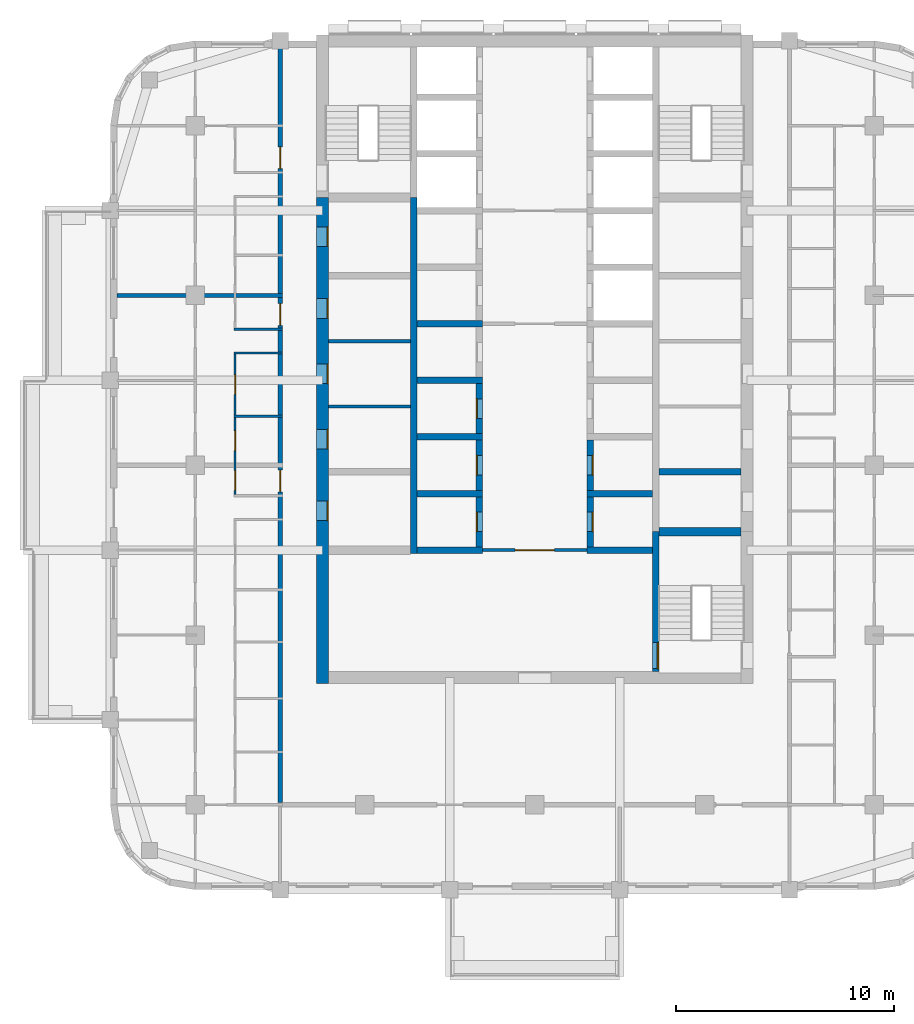
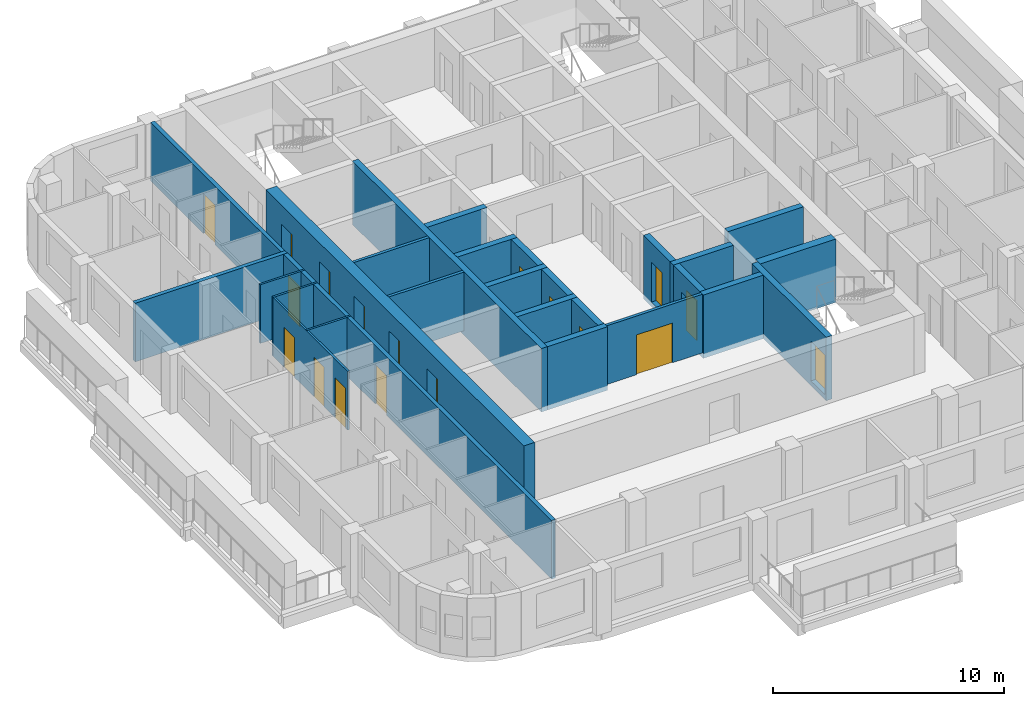
# One storey, part 4 of 13: 26 walls, 18 doors, 18 openings.
"""IFC4 building model written with IfcOpenShell, lengths in metres."""

from ifc_helpers import new_model, si_unit, direction, frame, frame_2d, origin, place, context, subcontext, project, spatial, rectangle, extrude, material, layer, layer_set, type_object, element, fill, save


model = new_model("IFC4")

# Units and contexts
model_context = context("Model", 3, precision=1e-05, world=origin(), true_north=direction((0.0, 1.0)))
body_context = subcontext(model_context, "Body", "Model", "MODEL_VIEW")
ifc_project = project(units=[si_unit("LENGTHUNIT", "METRE"), si_unit("AREAUNIT", "SQUARE_METRE"), si_unit("VOLUMEUNIT", "CUBIC_METRE"), si_unit("PLANEANGLEUNIT", "RADIAN"), si_unit("MASSUNIT", "GRAM", prefix="KILO")], contexts=[model_context])

# Site, building, storey
site_placement = place(None, origin())
site = spatial("IfcSite", under=ifc_project, at=site_placement, CompositionType="ELEMENT")
building_placement = place(site_placement, origin())
building = spatial("IfcBuilding", under=site, at=building_placement, Name="Ludao Terraces", CompositionType="ELEMENT")
storey_placement = place(building_placement, frame((0.0, 0.0, 169.0)))
storey = spatial("IfcBuildingStorey", under=building, at=storey_placement, Name="L46", CompositionType="ELEMENT", Elevation=169.0)

# Wall, openings, doors
ifc_material_1 = material(Name="Concrete C60", Category="concrete")
ifc_layer_1 = layer(ifc_material_1, 0.550048828125)
ifc_layer_set_1 = layer_set([ifc_layer_1], Name="Core wall 550 C60")
wall_type_1 = type_object("IfcWallType", Name="Core wall 550 C60", PredefinedType="SOLIDWALL", material=ifc_layer_set_1)
wall_1_placement = place(storey_placement, frame((75.25, 54.97509765625, -0.25), z_axis=(0.0, 0.0, 1.0), x_axis=(0.0, 1.0, 0.0)))
wall_1 = element("IfcWall", 1, at=wall_1_placement, inside=storey, type_object=wall_type_1, Name="Core wall L46 outer-W", PredefinedType="SOLIDWALL", context=body_context, shape_type="SweptSolid", body=[
    extrude(rectangle(XDim=22.324951171875, YDim=0.550048828125, at=frame_2d((11.16259765625, 0.0))), origin(), (0.0, 0.0, 1.0), 3.35009765625),
])
opening_1_placement = place(wall_1_placement, frame((7.47509765625, 0.0, 0.25)))
opening_1 = element("IfcOpeningElement", 2, at=opening_1_placement, cuts=wall_1, Name="Opening R16-029", PredefinedType="OPENING", context=body_context, shape_type="SweptSolid", body=[
    extrude(rectangle(XDim=0.89990234375, YDim=2.10009765625, at=frame_2d((0.449951171875, 1.050048828125))), frame((0.0, 0.28515625, 0.0), z_axis=(0.0, -1.0, 0.0), x_axis=(1.0, 0.0, 0.0)), (0.0, 0.0, 1.0), 0.570068359375),
])
opening_2_placement = place(wall_1_placement, frame((10.77490234375, 0.0, 0.25)))
opening_2 = element("IfcOpeningElement", 3, at=opening_2_placement, cuts=wall_1, Name="Opening R16-040", PredefinedType="OPENING", context=body_context, shape_type="SweptSolid", body=[
    extrude(rectangle(XDim=0.89990234375, YDim=2.10009765625, at=frame_2d((0.449951171875, 1.050048828125))), frame((0.0, 0.28515625, 0.0), z_axis=(0.0, -1.0, 0.0), x_axis=(1.0, 0.0, 0.0)), (0.0, 0.0, 1.0), 0.570068359375),
])
opening_3_placement = place(wall_1_placement, frame((13.77490234375, 0.0, 0.25)))
opening_3 = element("IfcOpeningElement", 4, at=opening_3_placement, cuts=wall_1, Name="Opening R16-049", PredefinedType="OPENING", context=body_context, shape_type="SweptSolid", body=[
    extrude(rectangle(XDim=0.89990234375, YDim=2.10009765625, at=frame_2d((0.449951171875, 1.050048828125))), frame((0.0, 0.28515625, 0.0), z_axis=(0.0, -1.0, 0.0), x_axis=(1.0, 0.0, 0.0)), (0.0, 0.0, 1.0), 0.570068359375),
])
opening_4_placement = place(wall_1_placement, frame((16.77490234375, 0.0, 0.25)))
opening_4 = element("IfcOpeningElement", 5, at=opening_4_placement, cuts=wall_1, Name="Opening R16-059", PredefinedType="OPENING", context=body_context, shape_type="SweptSolid", body=[
    extrude(rectangle(XDim=0.89990234375, YDim=2.10009765625, at=frame_2d((0.449951171875, 1.050048828125))), frame((0.0, 0.28515625, 0.0), z_axis=(0.0, -1.0, 0.0), x_axis=(1.0, 0.0, 0.0)), (0.0, 0.0, 1.0), 0.570068359375),
])
opening_5_placement = place(wall_1_placement, frame((20.074951171875, 0.0, 0.25)))
opening_5 = element("IfcOpeningElement", 6, at=opening_5_placement, cuts=wall_1, Name="Opening R16-069", PredefinedType="OPENING", context=body_context, shape_type="SweptSolid", body=[
    extrude(rectangle(XDim=0.89990234375, YDim=2.10009765625, at=frame_2d((0.449951171875, 1.050048828125))), frame((0.0, 0.28515625, 0.0), z_axis=(0.0, -1.0, 0.0), x_axis=(1.0, 0.0, 0.0)), (0.0, 0.0, 1.0), 0.570068359375),
])
ifc_material_2 = material(Name="Steel Q235", Category="steel")
door_type_1 = type_object("IfcDoorType", Name="INT Riser door 900", OperationType="SINGLE_SWING_LEFT", PredefinedType="DOOR", material=ifc_material_2)
door_1_placement = place(opening_1_placement, origin())
door_1 = element("IfcDoor", 7, at=door_1_placement, inside=storey, type_object=door_type_1, Name="DOOR 029", OperationType="SINGLE_SWING_RIGHT", OverallHeight=2.10009765625, OverallWidth=0.89990234375, PredefinedType="DOOR", context=body_context, shape_type="SweptSolid", body=[
    extrude(rectangle(XDim=0.89990234375, YDim=2.10009765625, at=frame_2d((0.449951171875, 1.050048828125))), frame((0.0, -0.2099609375, 0.0), z_axis=(0.0, -1.0, 0.0), x_axis=(1.0, 0.0, 0.0)), (0.0, 0.0, 1.0), 0.050048828125),
])
fill(opening_1, door_1)
door_2_placement = place(opening_5_placement, origin())
door_2 = element("IfcDoor", 8, at=door_2_placement, inside=storey, type_object=door_type_1, Name="DOOR 069", OperationType="SINGLE_SWING_RIGHT", OverallHeight=2.10009765625, OverallWidth=0.89990234375, PredefinedType="DOOR", context=body_context, shape_type="SweptSolid", body=[
    extrude(rectangle(XDim=0.89990234375, YDim=2.10009765625, at=frame_2d((0.449951171875, 1.050048828125))), frame((0.0, -0.2099609375, 0.0), z_axis=(0.0, -1.0, 0.0), x_axis=(1.0, 0.0, 0.0)), (0.0, 0.0, 1.0), 0.050048828125),
])
fill(opening_5, door_2)
ifc_material_3 = material(Name="Timber door leaf", Category="wood")
door_type_2 = type_object("IfcDoorType", Name="INT Room door 900", OperationType="SINGLE_SWING_LEFT", PredefinedType="DOOR", material=ifc_material_3)
door_3_placement = place(opening_2_placement, origin())
door_3 = element("IfcDoor", 9, at=door_3_placement, inside=storey, type_object=door_type_2, Name="DOOR 040", OperationType="SINGLE_SWING_RIGHT", OverallHeight=2.10009765625, OverallWidth=0.89990234375, PredefinedType="DOOR", context=body_context, shape_type="SweptSolid", body=[
    extrude(rectangle(XDim=0.89990234375, YDim=2.10009765625, at=frame_2d((0.449951171875, 1.050048828125))), frame((0.0, -0.2099609375, 0.0), z_axis=(0.0, -1.0, 0.0), x_axis=(1.0, 0.0, 0.0)), (0.0, 0.0, 1.0), 0.050048828125),
])
fill(opening_2, door_3)
door_4_placement = place(opening_3_placement, origin())
door_4 = element("IfcDoor", 10, at=door_4_placement, inside=storey, type_object=door_type_2, Name="DOOR 049", OperationType="SINGLE_SWING_RIGHT", OverallHeight=2.10009765625, OverallWidth=0.89990234375, PredefinedType="DOOR", context=body_context, shape_type="SweptSolid", body=[
    extrude(rectangle(XDim=0.89990234375, YDim=2.10009765625, at=frame_2d((0.449951171875, 1.050048828125))), frame((0.0, -0.2099609375, 0.0), z_axis=(0.0, -1.0, 0.0), x_axis=(1.0, 0.0, 0.0)), (0.0, 0.0, 1.0), 0.050048828125),
])
fill(opening_3, door_4)
door_5_placement = place(opening_4_placement, origin())
door_5 = element("IfcDoor", 11, at=door_5_placement, inside=storey, type_object=door_type_2, Name="DOOR 059", OperationType="SINGLE_SWING_LEFT", OverallHeight=2.10009765625, OverallWidth=0.89990234375, PredefinedType="DOOR", context=body_context, shape_type="SweptSolid", body=[
    extrude(rectangle(XDim=0.89990234375, YDim=2.10009765625, at=frame_2d((0.449951171875, 1.050048828125))), frame((0.0, -0.2099609375, 0.0), z_axis=(0.0, -1.0, 0.0), x_axis=(1.0, 0.0, 0.0)), (0.0, 0.0, 1.0), 0.050048828125),
])
fill(opening_4, door_5)

# Wall, opening, door
ifc_material_4 = material(Name="Fire-rated gypsum plasterboard", Category="gypsum")
ifc_layer_2 = layer(ifc_material_4, 0.012451171875, Category="gypsum")
ifc_material_5 = material(Name="Mineral wool")
ifc_layer_3 = layer(ifc_material_5, 0.10009765625, Name="insulation")
ifc_layer_4 = layer(ifc_material_2, 0.02490234375, Name="stud")
ifc_layer_5 = layer(ifc_material_4, 0.012451171875, Category="gypsum")
ifc_layer_set_2 = layer_set([ifc_layer_2, ifc_layer_3, ifc_layer_4, ifc_layer_5], Name="INT Core partition 150")
wall_type_2 = type_object("IfcWallType", Name="INT Core partition 150", PredefinedType="PARTITIONING", material=ifc_layer_set_2)
wall_2_placement = place(storey_placement, frame((82.60009765625, 61.10009765625, 0.0), z_axis=(0.0, 0.0, 1.0), x_axis=(1.0, 0.0, 0.0)))
wall_2 = element("IfcWall", 12, at=wall_2_placement, inside=storey, type_object=wall_type_2, Name="PW-L46-PW016", PredefinedType="PARTITIONING", context=body_context, shape_type="SweptSolid", body=[
    extrude(rectangle(XDim=4.800048828125, YDim=0.14990234375, at=frame_2d((2.39990234375, 0.0))), origin(), (0.0, 0.0, 1.0), 3.10009765625),
])
opening_6_placement = place(wall_2_placement, frame((1.5, 0.0, 0.0)))
opening_6 = element("IfcOpeningElement", 13, at=opening_6_placement, cuts=wall_2, Name="Opening R16-025", PredefinedType="OPENING", context=body_context, shape_type="SweptSolid", body=[
    extrude(rectangle(XDim=1.800048828125, YDim=2.10009765625, at=frame_2d((0.89990234375, 1.050048828125))), frame((0.0, 0.0849609375, 0.0), z_axis=(0.0, -1.0, 0.0), x_axis=(1.0, 0.0, 0.0)), (0.0, 0.0, 1.0), 0.169921875),
])
door_type_3 = type_object("IfcDoorType", Name="INT Fire lobby door 1800", OperationType="DOUBLE_DOOR_SINGLE_SWING", PredefinedType="DOOR", material=ifc_material_2)
door_6_placement = place(opening_6_placement, origin())
door_6 = element("IfcDoor", 14, at=door_6_placement, inside=storey, type_object=door_type_3, Name="DOOR 025", OperationType="DOUBLE_DOOR_SINGLE_SWING", OverallHeight=2.10009765625, OverallWidth=1.800048828125, PredefinedType="DOOR", context=body_context, shape_type="SweptSolid", body=[
    extrude(rectangle(XDim=1.800048828125, YDim=2.10009765625, at=frame_2d((0.89990234375, 1.050048828125))), frame((0.0, 0.02490234375, 0.0), z_axis=(0.0, -1.0, 0.0), x_axis=(1.0, 0.0, 0.0)), (0.0, 0.0, 1.0), 0.050048828125),
])
fill(opening_6, door_6)

# Walls
for number, where, z_axis, x_axis, name in (
    (15, (75.525146484375, 67.699951171875, 0.0), (0.0, 0.0, 1.0), (1.0, 0.0, 0.0), "PW-L46-PW026"),
    (16, (75.525146484375, 70.699951171875, 0.0), (0.0, 0.0, 1.0), (1.0, 0.0, 0.0), "PW-L46-PW031"),
):
    element("IfcWall", number, at=place(storey_placement, frame(where, z_axis=z_axis, x_axis=x_axis)), inside=storey, type_object=wall_type_2, Name=name, PredefinedType="PARTITIONING", context=body_context, shape_type="SweptSolid", body=[
        extrude(rectangle(XDim=3.77490234375, YDim=0.14990234375, at=frame_2d((1.887451171875, 0.0))), origin(), (0.0, 0.0, 1.0), 3.10009765625),
    ])

# Wall, openings, doors
ifc_material_6 = material(Name="Autoclaved aerated concrete block B06 A3.5", Category="concrete")
ifc_layer_6 = layer(ifc_material_6, 0.199951171875)
ifc_layer_set_3 = layer_set([ifc_layer_6], Name="INT Entrance wall 200")
wall_type_3 = type_object("IfcWallType", Name="INT Entrance wall 200", PredefinedType="PARTITIONING", material=ifc_layer_set_3)
wall_3_placement = place(storey_placement, frame((73.300048828125, 49.5, 0.0), z_axis=(0.0, 0.0, 1.0), x_axis=(0.0, 1.0, 0.0)))
wall_3 = element("IfcWall", 17, at=wall_3_placement, inside=storey, type_object=wall_type_3, Name="PW-L46-PW055", PredefinedType="PARTITIONING", context=body_context, shape_type="SweptSolid", body=[
    extrude(rectangle(XDim=34.7001953125, YDim=0.199951171875, at=frame_2d((17.35009765625, 0.0))), origin(), (0.0, 0.0, 1.0), 3.10009765625),
])
opening_7_placement = place(wall_3_placement, frame((14.275146484375, 0.0, 0.0)))
opening_7 = element("IfcOpeningElement", 18, at=opening_7_placement, cuts=wall_3, Name="Opening R16-034", PredefinedType="OPENING", context=body_context, shape_type="SweptSolid", body=[
    extrude(rectangle(XDim=1.0, YDim=2.10009765625, at=frame_2d((0.5, 1.050048828125))), frame((0.0, 0.10986328125, 0.0), z_axis=(0.0, -1.0, 0.0), x_axis=(1.0, 0.0, 0.0)), (0.0, 0.0, 1.0), 0.219970703125),
])
opening_8_placement = place(wall_3_placement, frame((21.925048828125, 0.0, 0.0)))
opening_8 = element("IfcOpeningElement", 19, at=opening_8_placement, cuts=wall_3, Name="Opening R16-057", PredefinedType="OPENING", context=body_context, shape_type="SweptSolid", body=[
    extrude(rectangle(XDim=1.0, YDim=2.10009765625, at=frame_2d((0.5, 1.050048828125))), frame((0.0, 0.10986328125, 0.0), z_axis=(0.0, -1.0, 0.0), x_axis=(1.0, 0.0, 0.0)), (0.0, 0.0, 1.0), 0.219970703125),
])
opening_9_placement = place(wall_3_placement, frame((29.125, 0.0, 0.0)))
opening_9 = element("IfcOpeningElement", 20, at=opening_9_placement, cuts=wall_3, Name="Opening R16-080", PredefinedType="OPENING", context=body_context, shape_type="SweptSolid", body=[
    extrude(rectangle(XDim=1.0, YDim=2.10009765625, at=frame_2d((0.5, 1.050048828125))), frame((0.0, 0.10986328125, 0.0), z_axis=(0.0, -1.0, 0.0), x_axis=(1.0, 0.0, 0.0)), (0.0, 0.0, 1.0), 0.219970703125),
])
door_type_4 = type_object("IfcDoorType", Name="INT Flat entrance door 1000", OperationType="SINGLE_SWING_LEFT", PredefinedType="DOOR", material=ifc_material_2)
door_7_placement = place(opening_7_placement, origin())
door_7 = element("IfcDoor", 21, at=door_7_placement, inside=storey, type_object=door_type_4, Name="DOOR 034", OperationType="SINGLE_SWING_RIGHT", OverallHeight=2.10009765625, OverallWidth=1.0, PredefinedType="DOOR", context=body_context, shape_type="SweptSolid", body=[
    extrude(rectangle(XDim=1.0, YDim=2.10009765625, at=frame_2d((0.5, 1.050048828125))), frame((0.0, 0.02490234375, 0.0), z_axis=(0.0, -1.0, 0.0), x_axis=(1.0, 0.0, 0.0)), (0.0, 0.0, 1.0), 0.050048828125),
])
fill(opening_7, door_7)
door_8_placement = place(opening_8_placement, origin())
door_8 = element("IfcDoor", 22, at=door_8_placement, inside=storey, type_object=door_type_4, Name="DOOR 057", OperationType="SINGLE_SWING_RIGHT", OverallHeight=2.10009765625, OverallWidth=1.0, PredefinedType="DOOR", context=body_context, shape_type="SweptSolid", body=[
    extrude(rectangle(XDim=1.0, YDim=2.10009765625, at=frame_2d((0.5, 1.050048828125))), frame((0.0, 0.02490234375, 0.0), z_axis=(0.0, -1.0, 0.0), x_axis=(1.0, 0.0, 0.0)), (0.0, 0.0, 1.0), 0.050048828125),
])
fill(opening_8, door_8)
door_9_placement = place(opening_9_placement, origin())
door_9 = element("IfcDoor", 23, at=door_9_placement, inside=storey, type_object=door_type_4, Name="DOOR 080", OperationType="SINGLE_SWING_RIGHT", OverallHeight=2.10009765625, OverallWidth=1.0, PredefinedType="DOOR", context=body_context, shape_type="SweptSolid", body=[
    extrude(rectangle(XDim=1.0, YDim=2.10009765625, at=frame_2d((0.5, 1.050048828125))), frame((0.0, 0.02490234375, 0.0), z_axis=(0.0, -1.0, 0.0), x_axis=(1.0, 0.0, 0.0)), (0.0, 0.0, 1.0), 0.050048828125),
])
fill(opening_9, door_9)

# Walls
ifc_material_7 = material(Name="Gypsum plasterboard", Category="gypsum")
ifc_layer_7 = layer(ifc_material_7, 0.012451171875, Category="gypsum")
ifc_layer_8 = layer(ifc_material_5, 0.06005859375, Name="insulation")
ifc_layer_9 = layer(ifc_material_2, 0.014892578125, Name="stud")
ifc_layer_10 = layer(ifc_material_7, 0.012451171875, Category="gypsum")
ifc_layer_set_4 = layer_set([ifc_layer_7, ifc_layer_8, ifc_layer_9, ifc_layer_10], Name="INT Partition 100")
wall_type_4 = type_object("IfcWallType", Name="INT Partition 100", PredefinedType="PARTITIONING", material=ifc_layer_set_4)
for number, where, z_axis, x_axis, name in (
    (24, (71.18017578125, 67.25, 0.0), (0.0, 0.0, 1.0), (1.0, 0.0, 0.0), "PW-L46-PW024"),
    (25, (71.18017578125, 70.14990234375, 0.0), (0.0, 0.0, 1.0), (1.0, 0.0, 0.0), "PW-L46-PW030"),
    (26, (71.18017578125, 71.25, 0.0), (0.0, 0.0, 1.0), (1.0, 0.0, 0.0), "PW-L46-PW034"),
):
    element("IfcWall", number, at=place(storey_placement, frame(where, z_axis=z_axis, x_axis=x_axis)), inside=storey, type_object=wall_type_4, Name=name, PredefinedType="PARTITIONING", context=body_context, shape_type="SweptSolid", body=[
        extrude(rectangle(XDim=2.219970703125, YDim=0.10009765625, at=frame_2d((1.10986328125, 0.0))), origin(), (0.0, 0.0, 1.0), 3.10009765625),
    ])

# Wall, openings, doors
wall_4_placement = place(storey_placement, frame((71.22998046875, 63.650146484375, 0.0), z_axis=(0.0, 0.0, 1.0), x_axis=(0.0, 1.0, 0.0)))
wall_4 = element("IfcWall", 27, at=wall_4_placement, inside=storey, type_object=wall_type_4, Name="PW-L46-PW051", PredefinedType="PARTITIONING", context=body_context, shape_type="SweptSolid", body=[
    extrude(rectangle(XDim=6.449951171875, YDim=0.10009765625, at=frame_2d((3.22509765625, 0.0))), origin(), (0.0, 0.0, 1.0), 3.10009765625),
])
opening_10_placement = place(wall_4_placement, frame((0.199951171875, 0.0, 0.0)))
opening_10 = element("IfcOpeningElement", 28, at=opening_10_placement, cuts=wall_4, Name="Opening R16-035", PredefinedType="OPENING", context=body_context, shape_type="SweptSolid", body=[
    extrude(rectangle(XDim=0.89990234375, YDim=2.10009765625, at=frame_2d((0.449951171875, 1.050048828125))), frame((0.0, 0.06005859375, 0.0), z_axis=(0.0, -1.0, 0.0), x_axis=(1.0, 0.0, 0.0)), (0.0, 0.0, 1.0), 0.1201171875),
])
opening_11_placement = place(wall_4_placement, frame((2.02490234375, 0.0, 0.0)))
opening_11 = element("IfcOpeningElement", 29, at=opening_11_placement, cuts=wall_4, Name="Opening R16-039", PredefinedType="OPENING", context=body_context, shape_type="SweptSolid", body=[
    extrude(rectangle(XDim=0.89990234375, YDim=2.10009765625, at=frame_2d((0.449951171875, 1.050048828125))), frame((0.0, 0.06005859375, 0.0), z_axis=(0.0, -1.0, 0.0), x_axis=(1.0, 0.0, 0.0)), (0.0, 0.0, 1.0), 0.1201171875),
])
opening_12_placement = place(wall_4_placement, frame((4.60009765625, 0.0, 0.0)))
opening_12 = element("IfcOpeningElement", 30, at=opening_12_placement, cuts=wall_4, Name="Opening R16-047", PredefinedType="OPENING", context=body_context, shape_type="SweptSolid", body=[
    extrude(rectangle(XDim=0.89990234375, YDim=2.10009765625, at=frame_2d((0.449951171875, 1.050048828125))), frame((0.0, 0.06005859375, 0.0), z_axis=(0.0, -1.0, 0.0), x_axis=(1.0, 0.0, 0.0)), (0.0, 0.0, 1.0), 0.1201171875),
])
door_type_5 = type_object("IfcDoorType", Name="INT Bathroom door 900", OperationType="SINGLE_SWING_LEFT", PredefinedType="DOOR", material=ifc_material_3)
door_10_placement = place(opening_10_placement, origin())
door_10 = element("IfcDoor", 31, at=door_10_placement, inside=storey, type_object=door_type_5, Name="DOOR 035", OperationType="SINGLE_SWING_RIGHT", OverallHeight=2.10009765625, OverallWidth=0.89990234375, PredefinedType="DOOR", context=body_context, shape_type="SweptSolid", body=[
    extrude(rectangle(XDim=0.89990234375, YDim=2.10009765625, at=frame_2d((0.449951171875, 1.050048828125))), frame((0.0, 0.02490234375, 0.0), z_axis=(0.0, -1.0, 0.0), x_axis=(1.0, 0.0, 0.0)), (0.0, 0.0, 1.0), 0.050048828125),
])
fill(opening_10, door_10)
door_11_placement = place(opening_11_placement, origin())
door_11 = element("IfcDoor", 32, at=door_11_placement, inside=storey, type_object=door_type_5, Name="DOOR 039", OperationType="SINGLE_SWING_RIGHT", OverallHeight=2.10009765625, OverallWidth=0.89990234375, PredefinedType="DOOR", context=body_context, shape_type="SweptSolid", body=[
    extrude(rectangle(XDim=0.89990234375, YDim=2.10009765625, at=frame_2d((0.449951171875, 1.050048828125))), frame((0.0, 0.02490234375, 0.0), z_axis=(0.0, -1.0, 0.0), x_axis=(1.0, 0.0, 0.0)), (0.0, 0.0, 1.0), 0.050048828125),
])
fill(opening_11, door_11)
door_12_placement = place(opening_12_placement, origin())
door_12 = element("IfcDoor", 33, at=door_12_placement, inside=storey, type_object=door_type_2, Name="DOOR 047", OperationType="SINGLE_SWING_RIGHT", OverallHeight=2.10009765625, OverallWidth=0.89990234375, PredefinedType="DOOR", context=body_context, shape_type="SweptSolid", body=[
    extrude(rectangle(XDim=0.89990234375, YDim=2.10009765625, at=frame_2d((0.449951171875, 1.050048828125))), frame((0.0, 0.02490234375, 0.0), z_axis=(0.0, -1.0, 0.0), x_axis=(1.0, 0.0, 0.0)), (0.0, 0.0, 1.0), 0.050048828125),
])
fill(opening_12, door_12)

# Walls
ifc_layer_11 = layer(ifc_material_6, 0.199951171875)
ifc_layer_set_5 = layer_set([ifc_layer_11], Name="INT Party wall 200")
wall_type_5 = type_object("IfcWallType", Name="INT Party wall 200", PredefinedType="PARTITIONING", material=ifc_layer_set_5)
wall_5_placement = place(storey_placement, frame((65.800048828125, 72.800048828125, 0.0), z_axis=(0.0, 0.0, 1.0), x_axis=(1.0, 0.0, 0.0)))
element("IfcWall", 34, at=wall_5_placement, inside=storey, type_object=wall_type_5, Name="PW-L46-PW036", PredefinedType="PARTITIONING", context=body_context, shape_type="SweptSolid", body=[
    extrude(rectangle(XDim=7.60009765625, YDim=0.199951171875, at=frame_2d((3.800048828125, 0.0))), origin(), (0.0, 0.0, 1.0), 3.10009765625),
])
ifc_material_8 = material(Name="Concrete C55", Category="concrete")
ifc_layer_12 = layer(ifc_material_8, 0.300048828125)
ifc_layer_set_6 = layer_set([ifc_layer_12], Name="Shaft wall 300 C55")
wall_type_6 = type_object("IfcWallType", Name="Shaft wall 300 C55", PredefinedType="SOLIDWALL", material=ifc_layer_set_6)
wall_6_placement = place(storey_placement, frame((79.449951171875, 60.949951171875, -0.25), z_axis=(0.0, 0.0, 1.0), x_axis=(0.0, 1.0, 0.0)))
element("IfcWall", 35, at=wall_6_placement, inside=storey, type_object=wall_type_6, Name="Core wall L46 back-W", PredefinedType="SOLIDWALL", context=body_context, shape_type="SweptSolid", body=[
    extrude(rectangle(XDim=16.35009765625, YDim=0.300048828125, at=frame_2d((8.175048828125, 0.0))), origin(), (0.0, 0.0, 1.0), 3.35009765625),
])

# Wall, opening, door
wall_7_placement = place(storey_placement, frame((90.550048828125, 55.52490234375, -0.25), z_axis=(0.0, 0.0, 1.0), x_axis=(0.0, 1.0, 0.0)))
wall_7 = element("IfcWall", 36, at=wall_7_placement, inside=storey, type_object=wall_type_6, Name="Core wall L46 back-E-S3", PredefinedType="SOLIDWALL", context=body_context, shape_type="SweptSolid", body=[
    extrude(rectangle(XDim=6.425048828125, YDim=0.300048828125, at=frame_2d((3.21240234375, 0.0))), origin(), (0.0, 0.0, 1.0), 3.35009765625),
])
opening_13_placement = place(wall_7_placement, frame((0.125, 0.0, 0.25)))
opening_13 = element("IfcOpeningElement", 37, at=opening_13_placement, cuts=wall_7, Name="Opening R16-016", PredefinedType="OPENING", context=body_context, shape_type="SweptSolid", body=[
    extrude(rectangle(XDim=1.199951171875, YDim=2.10009765625, at=frame_2d((0.60009765625, 1.050048828125))), frame((0.0, 0.16015625, 0.0), z_axis=(0.0, -1.0, 0.0), x_axis=(1.0, 0.0, 0.0)), (0.0, 0.0, 1.0), 0.320068359375),
])
door_type_6 = type_object("IfcDoorType", Name="INT Stair door 1200", OperationType="DOUBLE_DOOR_SINGLE_SWING", PredefinedType="DOOR", material=ifc_material_2)
door_13_placement = place(opening_13_placement, origin())
door_13 = element("IfcDoor", 38, at=door_13_placement, inside=storey, type_object=door_type_6, Name="DOOR 016", OperationType="DOUBLE_DOOR_SINGLE_SWING", OverallHeight=2.10009765625, OverallWidth=1.199951171875, PredefinedType="DOOR", context=body_context, shape_type="SweptSolid", body=[
    extrude(rectangle(XDim=1.199951171875, YDim=2.10009765625, at=frame_2d((0.60009765625, 1.050048828125))), frame((0.0, -0.0849609375, 0.0), z_axis=(0.0, -1.0, 0.0), x_axis=(1.0, 0.0, 0.0)), (0.0, 0.0, 1.0), 0.050048828125),
])
fill(opening_13, door_13)

# Wall
wall_8_placement = place(storey_placement, frame((79.60009765625, 61.10009765625, -0.25), z_axis=(0.0, 0.0, 1.0), x_axis=(1.0, 0.0, 0.0)))
element("IfcWall", 39, at=wall_8_placement, inside=storey, type_object=wall_type_6, Name="Core wall L46 div-W1", PredefinedType="SOLIDWALL", context=body_context, shape_type="SweptSolid", body=[
    extrude(rectangle(XDim=3.0, YDim=0.300048828125, at=frame_2d((1.5, 0.0))), origin(), (0.0, 0.0, 1.0), 3.35009765625),
])

# Wall, opening, door
wall_9_placement = place(storey_placement, frame((82.449951171875, 61.25, -0.25), z_axis=(0.0, 0.0, 1.0), x_axis=(0.0, 1.0, 0.0)))
wall_9 = element("IfcWall", 40, at=wall_9_placement, inside=storey, type_object=wall_type_6, Name="Core wall L46 front-W1", PredefinedType="SOLIDWALL", context=body_context, shape_type="SweptSolid", body=[
    extrude(rectangle(XDim=2.300048828125, YDim=0.300048828125, at=frame_2d((1.14990234375, 0.0))), origin(), (0.0, 0.0, 1.0), 3.35009765625),
])
opening_14_placement = place(wall_9_placement, frame((0.699951171875, 0.0, 0.25)))
opening_14 = element("IfcOpeningElement", 41, at=opening_14_placement, cuts=wall_9, Name="Opening R16-027", PredefinedType="OPENING", context=body_context, shape_type="SweptSolid", body=[
    extrude(rectangle(XDim=0.89990234375, YDim=2.10009765625, at=frame_2d((0.449951171875, 1.050048828125))), frame((0.0, 0.16015625, 0.0), z_axis=(0.0, -1.0, 0.0), x_axis=(1.0, 0.0, 0.0)), (0.0, 0.0, 1.0), 0.320068359375),
])
door_14_placement = place(opening_14_placement, origin())
door_14 = element("IfcDoor", 42, at=door_14_placement, inside=storey, type_object=door_type_2, Name="DOOR 027", OperationType="SINGLE_SWING_RIGHT", OverallHeight=2.10009765625, OverallWidth=0.89990234375, PredefinedType="DOOR", context=body_context, shape_type="SweptSolid", body=[
    extrude(rectangle(XDim=0.89990234375, YDim=2.10009765625, at=frame_2d((0.449951171875, 1.050048828125))), frame((0.0, 0.13525390625, 0.0), z_axis=(0.0, -1.0, 0.0), x_axis=(1.0, 0.0, 0.0)), (0.0, 0.0, 1.0), 0.050048828125),
])
fill(opening_14, door_14)

# Wall
wall_10_placement = place(storey_placement, frame((79.60009765625, 63.699951171875, -0.25), z_axis=(0.0, 0.0, 1.0), x_axis=(1.0, 0.0, 0.0)))
element("IfcWall", 43, at=wall_10_placement, inside=storey, type_object=wall_type_6, Name="Core wall L46 div-W2", PredefinedType="SOLIDWALL", context=body_context, shape_type="SweptSolid", body=[
    extrude(rectangle(XDim=3.0, YDim=0.300048828125, at=frame_2d((1.5, 0.0))), origin(), (0.0, 0.0, 1.0), 3.35009765625),
])

# Wall, opening, door
wall_11_placement = place(storey_placement, frame((82.449951171875, 63.85009765625, -0.25), z_axis=(0.0, 0.0, 1.0), x_axis=(0.0, 1.0, 0.0)))
wall_11 = element("IfcWall", 44, at=wall_11_placement, inside=storey, type_object=wall_type_6, Name="Core wall L46 front-W2", PredefinedType="SOLIDWALL", context=body_context, shape_type="SweptSolid", body=[
    extrude(rectangle(XDim=2.2998046875, YDim=0.300048828125, at=frame_2d((1.14990234375, 0.0))), origin(), (0.0, 0.0, 1.0), 3.35009765625),
])
opening_15_placement = place(wall_11_placement, frame((0.699951171875, 0.0, 0.25)))
opening_15 = element("IfcOpeningElement", 45, at=opening_15_placement, cuts=wall_11, Name="Opening R16-036", PredefinedType="OPENING", context=body_context, shape_type="SweptSolid", body=[
    extrude(rectangle(XDim=0.89990234375, YDim=2.10009765625, at=frame_2d((0.449951171875, 1.050048828125))), frame((0.0, 0.16015625, 0.0), z_axis=(0.0, -1.0, 0.0), x_axis=(1.0, 0.0, 0.0)), (0.0, 0.0, 1.0), 0.320068359375),
])
door_15_placement = place(opening_15_placement, origin())
door_15 = element("IfcDoor", 46, at=door_15_placement, inside=storey, type_object=door_type_2, Name="DOOR 036", OperationType="SINGLE_SWING_LEFT", OverallHeight=2.10009765625, OverallWidth=0.89990234375, PredefinedType="DOOR", context=body_context, shape_type="SweptSolid", body=[
    extrude(rectangle(XDim=0.89990234375, YDim=2.10009765625, at=frame_2d((0.449951171875, 1.050048828125))), frame((0.0, 0.13525390625, 0.0), z_axis=(0.0, -1.0, 0.0), x_axis=(1.0, 0.0, 0.0)), (0.0, 0.0, 1.0), 0.050048828125),
])
fill(opening_15, door_15)

# Wall
wall_12_placement = place(storey_placement, frame((79.60009765625, 66.300048828125, -0.25), z_axis=(0.0, 0.0, 1.0), x_axis=(1.0, 0.0, 0.0)))
element("IfcWall", 47, at=wall_12_placement, inside=storey, type_object=wall_type_6, Name="Core wall L46 div-W3", PredefinedType="SOLIDWALL", context=body_context, shape_type="SweptSolid", body=[
    extrude(rectangle(XDim=3.0, YDim=0.300048828125, at=frame_2d((1.5, 0.0))), origin(), (0.0, 0.0, 1.0), 3.35009765625),
])

# Wall, opening, door
wall_13_placement = place(storey_placement, frame((82.449951171875, 66.449951171875, -0.25), z_axis=(0.0, 0.0, 1.0), x_axis=(0.0, 1.0, 0.0)))
wall_13 = element("IfcWall", 48, at=wall_13_placement, inside=storey, type_object=wall_type_6, Name="Core wall L46 front-W3", PredefinedType="SOLIDWALL", context=body_context, shape_type="SweptSolid", body=[
    extrude(rectangle(XDim=2.300048828125, YDim=0.300048828125, at=frame_2d((1.14990234375, 0.0))), origin(), (0.0, 0.0, 1.0), 3.35009765625),
])
opening_16_placement = place(wall_13_placement, frame((0.699951171875, 0.0, 0.25)))
opening_16 = element("IfcOpeningElement", 49, at=opening_16_placement, cuts=wall_13, Name="Opening R16-044", PredefinedType="OPENING", context=body_context, shape_type="SweptSolid", body=[
    extrude(rectangle(XDim=0.89990234375, YDim=2.10009765625, at=frame_2d((0.449951171875, 1.050048828125))), frame((0.0, 0.16015625, 0.0), z_axis=(0.0, -1.0, 0.0), x_axis=(1.0, 0.0, 0.0)), (0.0, 0.0, 1.0), 0.320068359375),
])
door_16_placement = place(opening_16_placement, origin())
door_16 = element("IfcDoor", 50, at=door_16_placement, inside=storey, type_object=door_type_2, Name="DOOR 044", OperationType="SINGLE_SWING_RIGHT", OverallHeight=2.10009765625, OverallWidth=0.89990234375, PredefinedType="DOOR", context=body_context, shape_type="SweptSolid", body=[
    extrude(rectangle(XDim=0.89990234375, YDim=2.10009765625, at=frame_2d((0.449951171875, 1.050048828125))), frame((0.0, 0.13525390625, 0.0), z_axis=(0.0, -1.0, 0.0), x_axis=(1.0, 0.0, 0.0)), (0.0, 0.0, 1.0), 0.050048828125),
])
fill(opening_16, door_16)

# Walls
for number, where, z_axis, x_axis, name in (
    (51, (79.60009765625, 68.89990234375, -0.25), (0.0, 0.0, 1.0), (1.0, 0.0, 0.0), "Core wall L46 div-W4"),
    (52, (79.60009765625, 71.5, -0.25), (0.0, 0.0, 1.0), (1.0, 0.0, 0.0), "Core wall L46 div-W5"),
    (53, (87.39990234375, 61.10009765625, -0.25), (0.0, 0.0, 1.0), (1.0, 0.0, 0.0), "Core wall L46 div-E1"),
):
    element("IfcWall", number, at=place(storey_placement, frame(where, z_axis=z_axis, x_axis=x_axis)), inside=storey, type_object=wall_type_6, Name=name, PredefinedType="SOLIDWALL", context=body_context, shape_type="SweptSolid", body=[
        extrude(rectangle(XDim=3.0, YDim=0.300048828125, at=frame_2d((1.5, 0.0))), origin(), (0.0, 0.0, 1.0), 3.35009765625),
    ])

# Wall, opening, door
wall_14_placement = place(storey_placement, frame((87.550048828125, 61.25, -0.25), z_axis=(0.0, 0.0, 1.0), x_axis=(0.0, 1.0, 0.0)))
wall_14 = element("IfcWall", 54, at=wall_14_placement, inside=storey, type_object=wall_type_6, Name="Core wall L46 front-E1", PredefinedType="SOLIDWALL", context=body_context, shape_type="SweptSolid", body=[
    extrude(rectangle(XDim=2.300048828125, YDim=0.300048828125, at=frame_2d((1.14990234375, 0.0))), origin(), (0.0, 0.0, 1.0), 3.35009765625),
])
opening_17_placement = place(wall_14_placement, frame((0.699951171875, 0.0, 0.25)))
opening_17 = element("IfcOpeningElement", 55, at=opening_17_placement, cuts=wall_14, Name="Opening R16-028", PredefinedType="OPENING", context=body_context, shape_type="SweptSolid", body=[
    extrude(rectangle(XDim=0.89990234375, YDim=2.10009765625, at=frame_2d((0.449951171875, 1.050048828125))), frame((0.0, 0.16015625, 0.0), z_axis=(0.0, -1.0, 0.0), x_axis=(1.0, 0.0, 0.0)), (0.0, 0.0, 1.0), 0.320068359375),
])
door_17_placement = place(opening_17_placement, origin())
door_17 = element("IfcDoor", 56, at=door_17_placement, inside=storey, type_object=door_type_2, Name="DOOR 028", OperationType="SINGLE_SWING_LEFT", OverallHeight=2.10009765625, OverallWidth=0.89990234375, PredefinedType="DOOR", context=body_context, shape_type="SweptSolid", body=[
    extrude(rectangle(XDim=0.89990234375, YDim=2.10009765625, at=frame_2d((0.449951171875, 1.050048828125))), frame((0.0, -0.0849609375, 0.0), z_axis=(0.0, -1.0, 0.0), x_axis=(1.0, 0.0, 0.0)), (0.0, 0.0, 1.0), 0.050048828125),
])
fill(opening_17, door_17)

# Wall
wall_15_placement = place(storey_placement, frame((87.39990234375, 63.699951171875, -0.25), z_axis=(0.0, 0.0, 1.0), x_axis=(1.0, 0.0, 0.0)))
element("IfcWall", 57, at=wall_15_placement, inside=storey, type_object=wall_type_6, Name="Core wall L46 div-E2", PredefinedType="SOLIDWALL", context=body_context, shape_type="SweptSolid", body=[
    extrude(rectangle(XDim=3.0, YDim=0.300048828125, at=frame_2d((1.5, 0.0))), origin(), (0.0, 0.0, 1.0), 3.35009765625),
])

# Wall, opening, door
wall_16_placement = place(storey_placement, frame((87.550048828125, 63.85009765625, -0.25), z_axis=(0.0, 0.0, 1.0), x_axis=(0.0, 1.0, 0.0)))
wall_16 = element("IfcWall", 58, at=wall_16_placement, inside=storey, type_object=wall_type_6, Name="Core wall L46 front-E2", PredefinedType="SOLIDWALL", context=body_context, shape_type="SweptSolid", body=[
    extrude(rectangle(XDim=2.2998046875, YDim=0.300048828125, at=frame_2d((1.14990234375, 0.0))), origin(), (0.0, 0.0, 1.0), 3.35009765625),
])
opening_18_placement = place(wall_16_placement, frame((0.699951171875, 0.0, 0.25)))
opening_18 = element("IfcOpeningElement", 59, at=opening_18_placement, cuts=wall_16, Name="Opening R16-037", PredefinedType="OPENING", context=body_context, shape_type="SweptSolid", body=[
    extrude(rectangle(XDim=0.89990234375, YDim=2.10009765625, at=frame_2d((0.449951171875, 1.050048828125))), frame((0.0, 0.16015625, 0.0), z_axis=(0.0, -1.0, 0.0), x_axis=(1.0, 0.0, 0.0)), (0.0, 0.0, 1.0), 0.320068359375),
])
door_18_placement = place(opening_18_placement, origin())
door_18 = element("IfcDoor", 60, at=door_18_placement, inside=storey, type_object=door_type_2, Name="DOOR 037", OperationType="SINGLE_SWING_RIGHT", OverallHeight=2.10009765625, OverallWidth=0.89990234375, PredefinedType="DOOR", context=body_context, shape_type="SweptSolid", body=[
    extrude(rectangle(XDim=0.89990234375, YDim=2.10009765625, at=frame_2d((0.449951171875, 1.050048828125))), frame((0.0, -0.0849609375, 0.0), z_axis=(0.0, -1.0, 0.0), x_axis=(1.0, 0.0, 0.0)), (0.0, 0.0, 1.0), 0.050048828125),
])
fill(opening_18, door_18)

# Walls
wall_17_placement = place(storey_placement, frame((90.699951171875, 64.699951171875, -0.25), z_axis=(0.0, 0.0, 1.0), x_axis=(1.0, 0.0, 0.0)))
element("IfcWall", 61, at=wall_17_placement, inside=storey, type_object=wall_type_6, Name="Core wall L46 riser-a-E", PredefinedType="SOLIDWALL", context=body_context, shape_type="SweptSolid", body=[
    extrude(rectangle(XDim=3.775146484375, YDim=0.300048828125, at=frame_2d((1.8876953125, 0.0))), origin(), (0.0, 0.0, 1.0), 3.35009765625),
])
ifc_layer_13 = layer(ifc_material_8, 0.39990234375)
ifc_layer_set_7 = layer_set([ifc_layer_13], Name="Shaft wall 400 C55")
wall_type_7 = type_object("IfcWallType", Name="Shaft wall 400 C55", PredefinedType="SOLIDWALL", material=ifc_layer_set_7)
wall_18_placement = place(storey_placement, frame((90.699951171875, 61.949951171875, -0.25), z_axis=(0.0, 0.0, 1.0), x_axis=(1.0, 0.0, 0.0)))
element("IfcWall", 62, at=wall_18_placement, inside=storey, type_object=wall_type_7, Name="Core wall L46 hall-E", PredefinedType="SOLIDWALL", context=body_context, shape_type="SweptSolid", body=[
    extrude(rectangle(XDim=3.775146484375, YDim=0.39990234375, at=frame_2d((1.8876953125, 0.0))), origin(), (0.0, 0.0, 1.0), 3.35009765625),
])

save(model, "model.ifc")
